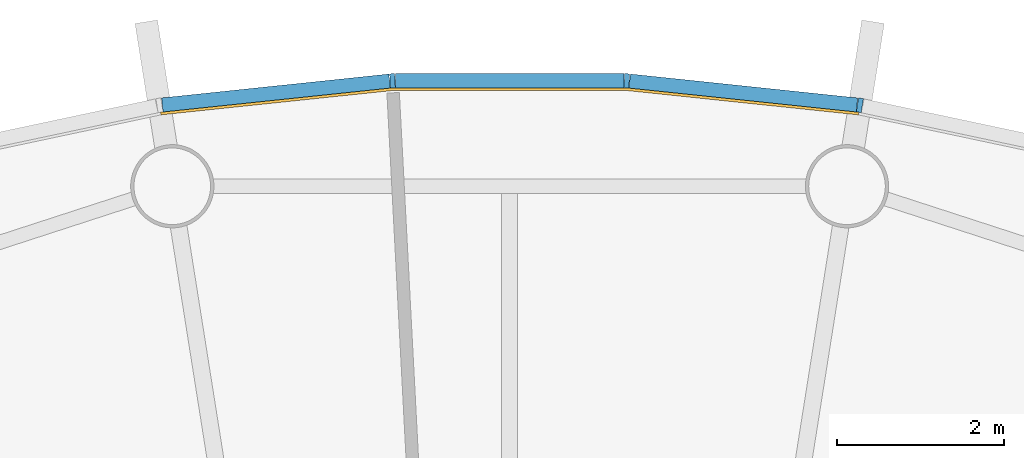
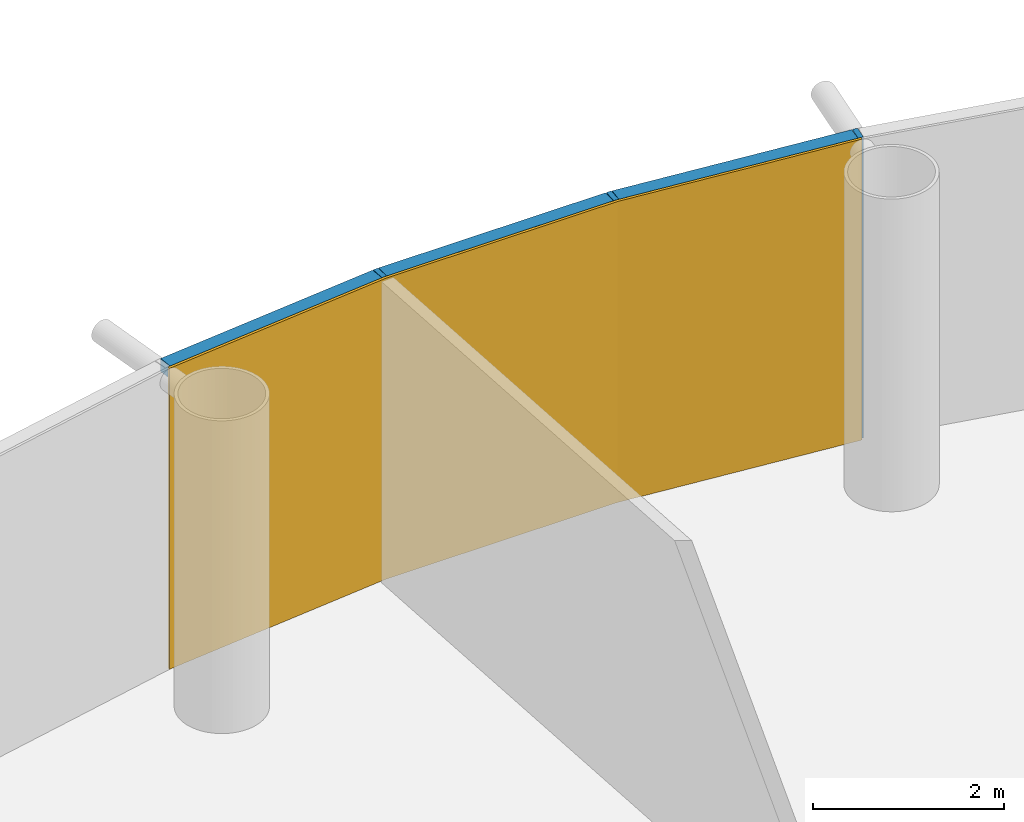
# One storey, part 10 of 12: 6 members, 1 curtain wall.
"""IFC4 building model written with IfcOpenShell, lengths in metres."""

import ifcopenshell
import ifcopenshell.guid

model = None  # the IFC model being written
_history = None  # IfcOwnerHistory: only IFC2X3 demands one
_inside = {}  # id of a spatial element -> (the spatial element, [elements in it])
_under = {}  # id of a project, library or spatial element -> (it, [spatial elements below it])
_declared = {}  # id of a project -> (the project, [libraries it declares])
_typed = {}  # id of a type object -> (the type object, [elements of that type])
_made_of = {}  # id of a material, layer set ... -> (it, [elements and type objects made of it])


def new_model(schema):
    """Start an empty IFC model of exactly this schema.

    Asked for "IFC4X3", IfcOpenShell would pick the latest addendum, in which some entities
    have other attributes; the version numbers below select the first issue.
    IFC2X3 requires an IfcOwnerHistory on every rooted entity: one is made here for all.
    """
    global model, _history
    if schema == "IFC4X3":
        model = ifcopenshell.file(schema_version=(4, 3, 0, 0))
    else:
        model = ifcopenshell.file(schema=schema)
    _inside.clear()
    _under.clear()
    _declared.clear()
    _typed.clear()
    _made_of.clear()
    _history = None
    if model.schema == "IFC2X3":
        org = make("IfcOrganization", Name="unknown")
        user = make(
            "IfcPersonAndOrganization",
            ThePerson=make("IfcPerson", FamilyName="unknown"),
            TheOrganization=org,
        )
        app = make(
            "IfcApplication",
            ApplicationDeveloper=org,
            Version="unknown",
            ApplicationFullName="unknown",
            ApplicationIdentifier="unknown",
        )
        _history = make(
            "IfcOwnerHistory",
            OwningUser=user,
            OwningApplication=app,
            ChangeAction="ADDED",
            CreationDate=0,
        )
    return model


def make(cls, **values):
    """One entity of the class cls with the attributes given. An attribute that is None is left unset."""
    return model.create_entity(
        cls, **{name: value for name, value in values.items() if value is not None}
    )


def rooted(cls, **values):
    """An entity with a GlobalId (a new one), such as an element, a storey or a relation."""
    return make(cls, GlobalId=ifcopenshell.guid.new(), OwnerHistory=_history, **values)


def si_unit(unit_type, name, prefix=None):
    """IfcSIUnit, for example si_unit("LENGTHUNIT", "METRE", prefix="MILLI")."""
    return make("IfcSIUnit", UnitType=unit_type, Prefix=prefix, Name=name)


def assignment(units):
    """IfcUnitAssignment: the units of a project."""
    return None if units is None else make("IfcUnitAssignment", Units=units)


def point(xyz):
    """IfcCartesianPoint."""
    return None if xyz is None else make("IfcCartesianPoint", Coordinates=xyz)


def direction(xyz):
    """IfcDirection."""
    return None if xyz is None else make("IfcDirection", DirectionRatios=xyz)


def frame(location, z_axis=None, x_axis=None):
    """IfcAxis2Placement3D, a coordinate frame: its origin and axes. An axis left out is left unset."""
    return make(
        "IfcAxis2Placement3D",
        Location=point(location),
        Axis=direction(z_axis),
        RefDirection=direction(x_axis),
    )


def frame_2d(location, x_axis=None):
    """IfcAxis2Placement2D, a coordinate frame in the plane: its origin and x axis."""
    return make(
        "IfcAxis2Placement2D", Location=point(location), RefDirection=direction(x_axis)
    )


def origin():
    """The frame at (0, 0, 0) with its axes left unset."""
    return frame((0.0, 0.0, 0.0))


def origin_2d():
    """The frame at (0, 0) in the plane with its x axis left unset."""
    return frame_2d((0.0, 0.0))


def place(relative_to, where):
    """IfcLocalPlacement: puts the frame where relative to a parent placement (None: the world)."""
    return make(
        "IfcLocalPlacement", PlacementRelTo=relative_to, RelativePlacement=where
    )


def context(
    kind, dimensions, precision=None, world=None, true_north=None, identifier=None
):
    """IfcGeometricRepresentationContext, for example the 3D "Model" context."""
    return make(
        "IfcGeometricRepresentationContext",
        ContextIdentifier=identifier,
        ContextType=kind,
        CoordinateSpaceDimension=dimensions,
        Precision=precision,
        WorldCoordinateSystem=world,
        TrueNorth=true_north,
    )


def subcontext(parent, identifier, kind, view, scale=None):
    """IfcGeometricRepresentationSubContext, for example "Body" below "Model"."""
    return make(
        "IfcGeometricRepresentationSubContext",
        ContextIdentifier=identifier,
        ContextType=kind,
        ParentContext=parent,
        TargetScale=scale,
        TargetView=view,
    )


def project(units=None, contexts=None):
    """IfcProject with its units and contexts."""
    return rooted(
        "IfcProject",
        Name="project",
        RepresentationContexts=contexts,
        UnitsInContext=assignment(units),
    )


def spatial(cls, under=None, at=None, **own):
    """A site, building, storey or space (cls), placed at a placement, below another one or the project."""
    s = rooted(cls, ObjectPlacement=at, **own)
    if under is not None:
        _under.setdefault(under.id(), (under, []))[1].append(s)
    return s


def polyline(points):
    """IfcPolyline through the points."""
    return make("IfcPolyline", Points=[point(p) for p in points])


def profile(cls, at=None, kind="AREA", **sizes):
    """A parametric profile (cls). Its sizes go by their IFC names, for example OverallWidth=200.0."""
    return make(cls, ProfileType=kind, Position=at, **sizes)


def rectangle(**sizes):
    """IfcRectangleProfileDef."""
    return profile("IfcRectangleProfileDef", **sizes)


def outline(outer, holes=None, kind="AREA"):
    """IfcArbitraryClosedProfileDef: a profile drawn as a closed curve; with holes, ...WithVoids."""
    if holes is None:
        return make("IfcArbitraryClosedProfileDef", ProfileType=kind, OuterCurve=outer)
    return make(
        "IfcArbitraryProfileDefWithVoids",
        ProfileType=kind,
        OuterCurve=outer,
        InnerCurves=holes,
    )


def extrude(swept, where, along, depth):
    """IfcExtrudedAreaSolid: the profile swept, set in the frame where, extruded along a direction by depth."""
    return make(
        "IfcExtrudedAreaSolid",
        SweptArea=swept,
        Position=where,
        ExtrudedDirection=direction(along),
        Depth=depth,
    )


def shape(context_of_items, identifier, shape_type, items):
    """IfcShapeRepresentation: the items that make up one representation, for example the "Body"."""
    return make(
        "IfcShapeRepresentation",
        ContextOfItems=context_of_items,
        RepresentationIdentifier=identifier,
        RepresentationType=shape_type,
        Items=items,
    )


def material(Name=None, Category=None):
    """IfcMaterial."""
    return make("IfcMaterial", Name=Name, Category=Category)


def layer(
    of_material, thickness, ventilated=None, Name=None, Category=None, Priority=None
):
    """IfcMaterialLayer: one layer of a wall or slab, of a material (None: an air gap)."""
    return make(
        "IfcMaterialLayer",
        Material=of_material,
        LayerThickness=thickness,
        IsVentilated=ventilated,
        Name=Name,
        Category=Category,
        Priority=Priority,
    )


def layer_set(layers, Name=None):
    """IfcMaterialLayerSet."""
    return make("IfcMaterialLayerSet", MaterialLayers=layers, LayerSetName=Name)


def material_profile(
    of_material, cross_section, Name=None, Category=None, Priority=None
):
    """IfcMaterialProfile: a cross section and its material."""
    return make(
        "IfcMaterialProfile",
        Name=Name,
        Material=of_material,
        Profile=cross_section,
        Priority=Priority,
        Category=Category,
    )


def profile_set(profiles, Name=None, composite=None):
    """IfcMaterialProfileSet."""
    return make(
        "IfcMaterialProfileSet",
        Name=Name,
        MaterialProfiles=profiles,
        CompositeProfile=composite,
    )


def made_of(thing, what):
    """Note that an element or type object is made of a material, layer set ...; save() writes the relation."""
    if what is not None:
        _made_of.setdefault(what.id(), (what, []))[1].append(thing)
    return thing


def type_object(cls, material=None, **own):
    """A type object (cls), such as IfcWallType, which elements share."""
    return made_of(rooted(cls, **own), material)


def element(
    cls,
    number,
    at=None,
    inside=None,
    cuts=None,
    type_object=None,
    material=None,
    context=None,
    identifier="Body",
    shape_type=None,
    held_by="IfcProductDefinitionShape",
    body=None,
    shapes=None,
    **own,
):
    """One element of the class cls, such as IfcWall. Its Tag is "e" and its number.

    at: its placement. inside: the storey or other place that contains it. cuts: it is an
    opening in that element (IfcRelVoidsElement). A single representation is given by context,
    identifier, shape_type and body (its items); several are given by shapes. held_by: the class
    of the entity that holds the representations. save() writes the other relations.
    """
    e = rooted(cls, Tag="e%d" % number, ObjectPlacement=at, **own)
    if body is not None:
        shapes = [shape(context, identifier, shape_type, body)]
    if shapes is not None:
        e.Representation = make(held_by, Representations=shapes)
    if inside is not None:
        _inside.setdefault(inside.id(), (inside, []))[1].append(e)
    if cuts is not None:
        rooted(
            "IfcRelVoidsElement", RelatingBuildingElement=cuts, RelatedOpeningElement=e
        )
    if type_object is not None:
        _typed.setdefault(type_object.id(), (type_object, []))[1].append(e)
    return made_of(e, material)


def aggregate(whole, parts):
    """IfcRelAggregates: a whole, such as a stair, and the parts it consists of."""
    return rooted("IfcRelAggregates", RelatingObject=whole, RelatedObjects=parts)


def save(model, path):
    """Write the relations noted so far, then the file.

    IfcRelAggregates (storeys below a building ...), IfcRelContainedInSpatialStructure (elements
    in a storey), IfcRelDefinesByType, IfcRelAssociatesMaterial and IfcRelDeclares: one each for
    every whole, place, type object, material and project.
    """
    for whole, parts in _under.values():
        aggregate(whole, parts)
    for where, things in _inside.values():
        rooted(
            "IfcRelContainedInSpatialStructure",
            RelatedElements=things,
            RelatingStructure=where,
        )
    for kind, things in _typed.values():
        rooted("IfcRelDefinesByType", RelatedObjects=things, RelatingType=kind)
    for what, things in _made_of.values():
        rooted("IfcRelAssociatesMaterial", RelatedObjects=things, RelatingMaterial=what)
    for by, libraries in _declared.values():
        rooted("IfcRelDeclares", RelatingContext=by, RelatedDefinitions=libraries)
    model.write(path)


model = new_model("IFC4")

# Units and contexts
model_context = context("Model", 3, precision=1e-05, world=origin(), true_north=direction((0.0, 1.0)))
body_context = subcontext(model_context, "Body", "Model", "MODEL_VIEW")
ifc_project = project(units=[si_unit("LENGTHUNIT", "METRE"), si_unit("AREAUNIT", "SQUARE_METRE"), si_unit("VOLUMEUNIT", "CUBIC_METRE"), si_unit("PLANEANGLEUNIT", "RADIAN"), si_unit("MASSUNIT", "GRAM", prefix="KILO")], contexts=[model_context])

# Member
ifc_material_1 = material(Name="Anodised aluminium", Category="aluminium")
ifc_material_profile_1 = material_profile(ifc_material_1, rectangle(XDim=0.06005859375, YDim=0.169921875, at=origin_2d()), Name="Mullion 60 x 170 mm anodised aluminium")
ifc_profile_set_1 = profile_set([ifc_material_profile_1], Name="Anodised aluminium")
member_type_1 = type_object("IfcMemberType", Name="Mullion 60 x 170 mm anodised aluminium", PredefinedType="MULLION", material=ifc_profile_set_1)
site_placement = place(None, origin())
building_placement = place(site_placement, origin())
storey_placement = place(building_placement, frame((0.0, 0.0, 246.0)))
member_1_placement = place(storey_placement, frame((94.205810546875, 106.553955078125, 0.0), z_axis=(0.0, 0.0, 1.0), x_axis=(-0.987688340595, 0.15643446504, 0.0)))
member_1 = element("IfcMember", 1, at=member_1_placement, type_object=member_type_1, Name="MULLION L56-12", PredefinedType="MULLION", context=body_context, shape_type="SweptSolid", body=[
    extrude(rectangle(XDim=0.06005859375, YDim=0.169921875, at=origin_2d()), origin(), (0.0, 0.0, 1.0), 3.85009765625),
])

member_2_placement = place(storey_placement, frame((91.406982421875, 106.84814453125, 0.0), z_axis=(0.0, 0.0, 1.0), x_axis=(-0.998629534755, 0.052335956243, 0.0)))
member_2 = element("IfcMember", 2, at=member_2_placement, type_object=member_type_1, Name="MULLION L56-13", PredefinedType="MULLION", context=body_context, shape_type="SweptSolid", body=[
    extrude(rectangle(XDim=0.06005859375, YDim=0.169921875, at=origin_2d()), origin(), (0.0, 0.0, 1.0), 3.85009765625),
])

member_3_placement = place(storey_placement, frame((88.593017578125, 106.84814453125, 0.0), z_axis=(0.0, 0.0, 1.0), x_axis=(-0.998629534755, -0.052335956243, 0.0)))
member_3 = element("IfcMember", 3, at=member_3_placement, type_object=member_type_1, Name="MULLION L56-14", PredefinedType="MULLION", context=body_context, shape_type="SweptSolid", body=[
    extrude(rectangle(XDim=0.06005859375, YDim=0.169921875, at=origin_2d()), origin(), (0.0, 0.0, 1.0), 3.85009765625),
])

ifc_material_2 = material(Name="Anodised aluminium", Category="aluminium")
ifc_material_profile_2 = material_profile(ifc_material_2, rectangle(XDim=0.169921875, YDim=0.1650390625, at=origin_2d()), Name="Transom 165 x 170 mm anodised aluminium")
ifc_profile_set_2 = profile_set([ifc_material_profile_2], Name="Anodised aluminium")
member_type_2 = type_object("IfcMemberType", Name="Transom 165 x 170 mm anodised aluminium", PredefinedType="USERDEFINED", material=ifc_profile_set_2)
member_4_placement = place(storey_placement, frame((94.17138671875, 106.5576171875, 3.767578125), z_axis=(-0.994515195344, 0.104592190102, 0.0), x_axis=(-0.104592190102, -0.994515195344, 0.0)))
member_4 = element("IfcMember", 4, at=member_4_placement, type_object=member_type_2, Name="TRANSOM L56-12", ObjectType="TRANSOM", PredefinedType="USERDEFINED", context=body_context, shape_type="SweptSolid", body=[
    extrude(rectangle(XDim=0.169921875, YDim=0.1650390625, at=origin_2d()), origin(), (0.0, 0.0, 1.0), 2.7451171875),
])

member_5_placement = place(storey_placement, frame((91.37255859375, 106.848388671875, 3.767578125), z_axis=(-1.0, 0.0, 0.0), x_axis=(0.0, -1.0, 0.0)))
member_5 = element("IfcMember", 5, at=member_5_placement, type_object=member_type_2, Name="TRANSOM L56-13", ObjectType="TRANSOM", PredefinedType="USERDEFINED", context=body_context, shape_type="SweptSolid", body=[
    extrude(rectangle(XDim=0.169921875, YDim=0.1650390625, at=origin_2d()), origin(), (0.0, 0.0, 1.0), 2.7451171875),
])

member_6_placement = place(storey_placement, frame((88.55859375, 106.8447265625, 3.767578125), z_axis=(-0.994515195344, -0.104592190102, 0.0), x_axis=(0.104592190102, -0.994515195344, 0.0)))
member_6 = element("IfcMember", 6, at=member_6_placement, type_object=member_type_2, Name="TRANSOM L56-14", ObjectType="TRANSOM", PredefinedType="USERDEFINED", context=body_context, shape_type="SweptSolid", body=[
    extrude(rectangle(XDim=0.169921875, YDim=0.1650390625, at=origin_2d()), origin(), (0.0, 0.0, 1.0), 2.7451171875),
])

# Site, building, storey
site = spatial("IfcSite", under=ifc_project, at=site_placement, CompositionType="ELEMENT")
building = spatial("IfcBuilding", under=site, at=building_placement, Name="Entoto Ring Tower", CompositionType="ELEMENT")
storey = spatial("IfcBuildingStorey", under=building, at=storey_placement, Name="L56", CompositionType="ELEMENT", Elevation=246.0)

# Curtain wall
ifc_material_3 = material(Name="Clear low-iron glass", Category="glass")
ifc_layer = layer(ifc_material_3, 0.031982421875)
ifc_layer_set = layer_set([ifc_layer], Name="Clear low-iron glass")
curtain_wall_type = type_object("IfcCurtainWallType", Name="Curtain wall system CW4 glazing 32 mm", PredefinedType="NOTDEFINED", material=ifc_layer_set)
curtain_wall_placement = place(storey_placement, origin())
curtain_wall = element("IfcCurtainWall", 7, at=curtain_wall_placement, inside=storey, type_object=curtain_wall_type, Name="CW4 L56-05", PredefinedType="NOTDEFINED", context=body_context, shape_type="SweptSolid", body=[
    extrude(outline(polyline([(94.1923828125, 106.469970703125), (91.402587890625, 106.76318359375), (88.597412109375, 106.76318359375), (85.8076171875, 106.469970703125), (85.8125, 106.4384765625), (88.59912109375, 106.731201171875), (91.40087890625, 106.731201171875), (94.1875, 106.4384765625), (94.1923828125, 106.469970703125)])), origin(), (0.0, 0.0, 1.0), 3.85009765625),
])

aggregate(curtain_wall, [member_1, member_2, member_3, member_4, member_5, member_6])

save(model, "model.ifc")
